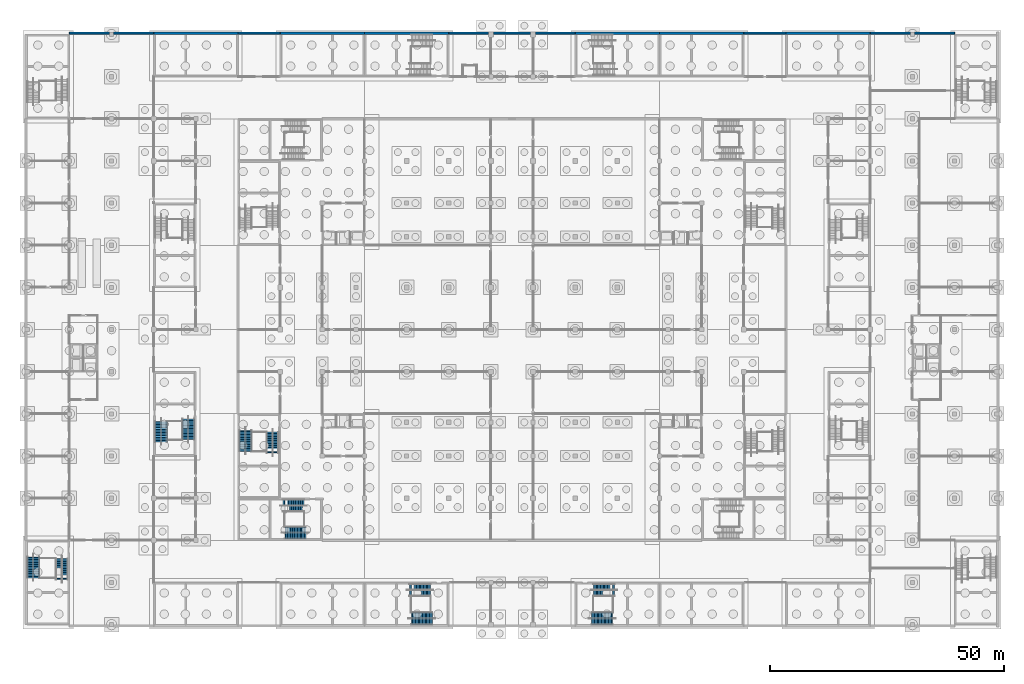
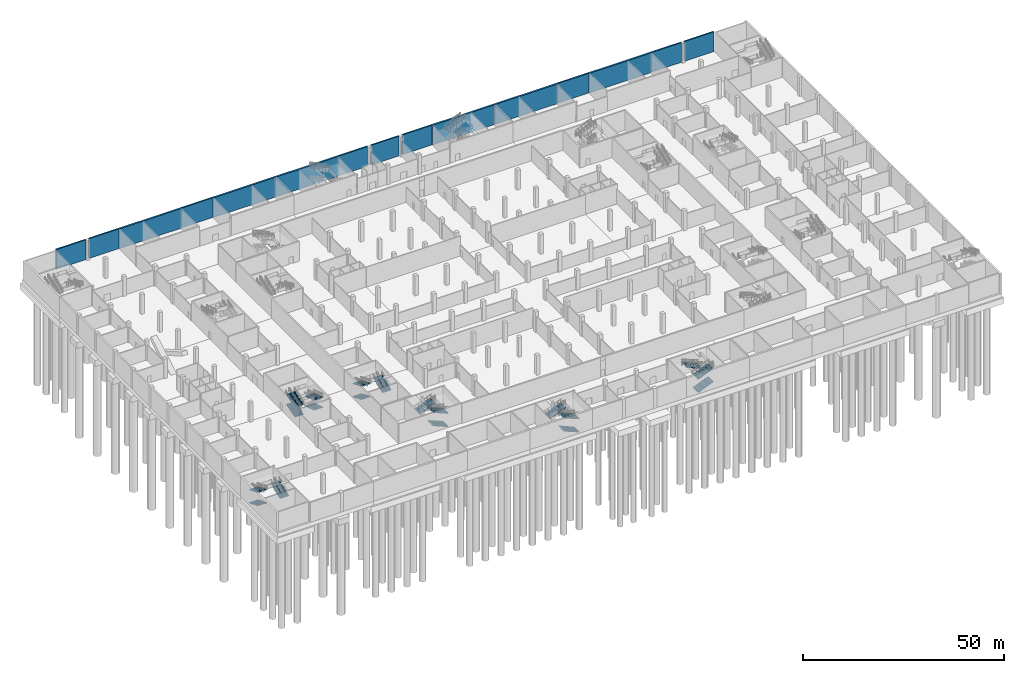
# One storey, part 23 of 42: 19 stair flights, 15 walls, 6 elements without a shape of their own.
"""IFC4 building model written with IfcOpenShell, lengths in metres."""

import ifcopenshell
import ifcopenshell.guid

model = None  # the IFC model being written
_history = None  # IfcOwnerHistory: only IFC2X3 demands one
_inside = {}  # id of a spatial element -> (the spatial element, [elements in it])
_under = {}  # id of a project, library or spatial element -> (it, [spatial elements below it])
_declared = {}  # id of a project -> (the project, [libraries it declares])
_typed = {}  # id of a type object -> (the type object, [elements of that type])
_made_of = {}  # id of a material, layer set ... -> (it, [elements and type objects made of it])


def new_model(schema):
    """Start an empty IFC model of exactly this schema.

    Asked for "IFC4X3", IfcOpenShell would pick the latest addendum, in which some entities
    have other attributes; the version numbers below select the first issue.
    IFC2X3 requires an IfcOwnerHistory on every rooted entity: one is made here for all.
    """
    global model, _history
    if schema == "IFC4X3":
        model = ifcopenshell.file(schema_version=(4, 3, 0, 0))
    else:
        model = ifcopenshell.file(schema=schema)
    _inside.clear()
    _under.clear()
    _declared.clear()
    _typed.clear()
    _made_of.clear()
    _history = None
    if model.schema == "IFC2X3":
        org = make("IfcOrganization", Name="unknown")
        user = make(
            "IfcPersonAndOrganization",
            ThePerson=make("IfcPerson", FamilyName="unknown"),
            TheOrganization=org,
        )
        app = make(
            "IfcApplication",
            ApplicationDeveloper=org,
            Version="unknown",
            ApplicationFullName="unknown",
            ApplicationIdentifier="unknown",
        )
        _history = make(
            "IfcOwnerHistory",
            OwningUser=user,
            OwningApplication=app,
            ChangeAction="ADDED",
            CreationDate=0,
        )
    return model


def make(cls, **values):
    """One entity of the class cls with the attributes given. An attribute that is None is left unset."""
    return model.create_entity(
        cls, **{name: value for name, value in values.items() if value is not None}
    )


def rooted(cls, **values):
    """An entity with a GlobalId (a new one), such as an element, a storey or a relation."""
    return make(cls, GlobalId=ifcopenshell.guid.new(), OwnerHistory=_history, **values)


def si_unit(unit_type, name, prefix=None):
    """IfcSIUnit, for example si_unit("LENGTHUNIT", "METRE", prefix="MILLI")."""
    return make("IfcSIUnit", UnitType=unit_type, Prefix=prefix, Name=name)


def assignment(units):
    """IfcUnitAssignment: the units of a project."""
    return None if units is None else make("IfcUnitAssignment", Units=units)


def point(xyz):
    """IfcCartesianPoint."""
    return None if xyz is None else make("IfcCartesianPoint", Coordinates=xyz)


def direction(xyz):
    """IfcDirection."""
    return None if xyz is None else make("IfcDirection", DirectionRatios=xyz)


def frame(location, z_axis=None, x_axis=None):
    """IfcAxis2Placement3D, a coordinate frame: its origin and axes. An axis left out is left unset."""
    return make(
        "IfcAxis2Placement3D",
        Location=point(location),
        Axis=direction(z_axis),
        RefDirection=direction(x_axis),
    )


def frame_2d(location, x_axis=None):
    """IfcAxis2Placement2D, a coordinate frame in the plane: its origin and x axis."""
    return make(
        "IfcAxis2Placement2D", Location=point(location), RefDirection=direction(x_axis)
    )


def origin():
    """The frame at (0, 0, 0) with its axes left unset."""
    return frame((0.0, 0.0, 0.0))


def place(relative_to, where):
    """IfcLocalPlacement: puts the frame where relative to a parent placement (None: the world)."""
    return make(
        "IfcLocalPlacement", PlacementRelTo=relative_to, RelativePlacement=where
    )


def context(
    kind, dimensions, precision=None, world=None, true_north=None, identifier=None
):
    """IfcGeometricRepresentationContext, for example the 3D "Model" context."""
    return make(
        "IfcGeometricRepresentationContext",
        ContextIdentifier=identifier,
        ContextType=kind,
        CoordinateSpaceDimension=dimensions,
        Precision=precision,
        WorldCoordinateSystem=world,
        TrueNorth=true_north,
    )


def subcontext(parent, identifier, kind, view, scale=None):
    """IfcGeometricRepresentationSubContext, for example "Body" below "Model"."""
    return make(
        "IfcGeometricRepresentationSubContext",
        ContextIdentifier=identifier,
        ContextType=kind,
        ParentContext=parent,
        TargetScale=scale,
        TargetView=view,
    )


def project(units=None, contexts=None):
    """IfcProject with its units and contexts."""
    return rooted(
        "IfcProject",
        Name="project",
        RepresentationContexts=contexts,
        UnitsInContext=assignment(units),
    )


def spatial(cls, under=None, at=None, **own):
    """A site, building, storey or space (cls), placed at a placement, below another one or the project."""
    s = rooted(cls, ObjectPlacement=at, **own)
    if under is not None:
        _under.setdefault(under.id(), (under, []))[1].append(s)
    return s


def polyline(points):
    """IfcPolyline through the points."""
    return make("IfcPolyline", Points=[point(p) for p in points])


def profile(cls, at=None, kind="AREA", **sizes):
    """A parametric profile (cls). Its sizes go by their IFC names, for example OverallWidth=200.0."""
    return make(cls, ProfileType=kind, Position=at, **sizes)


def rectangle(**sizes):
    """IfcRectangleProfileDef."""
    return profile("IfcRectangleProfileDef", **sizes)


def outline(outer, holes=None, kind="AREA"):
    """IfcArbitraryClosedProfileDef: a profile drawn as a closed curve; with holes, ...WithVoids."""
    if holes is None:
        return make("IfcArbitraryClosedProfileDef", ProfileType=kind, OuterCurve=outer)
    return make(
        "IfcArbitraryProfileDefWithVoids",
        ProfileType=kind,
        OuterCurve=outer,
        InnerCurves=holes,
    )


def extrude(swept, where, along, depth):
    """IfcExtrudedAreaSolid: the profile swept, set in the frame where, extruded along a direction by depth."""
    return make(
        "IfcExtrudedAreaSolid",
        SweptArea=swept,
        Position=where,
        ExtrudedDirection=direction(along),
        Depth=depth,
    )


def shape(context_of_items, identifier, shape_type, items):
    """IfcShapeRepresentation: the items that make up one representation, for example the "Body"."""
    return make(
        "IfcShapeRepresentation",
        ContextOfItems=context_of_items,
        RepresentationIdentifier=identifier,
        RepresentationType=shape_type,
        Items=items,
    )


def material(Name=None, Category=None):
    """IfcMaterial."""
    return make("IfcMaterial", Name=Name, Category=Category)


def layer(
    of_material, thickness, ventilated=None, Name=None, Category=None, Priority=None
):
    """IfcMaterialLayer: one layer of a wall or slab, of a material (None: an air gap)."""
    return make(
        "IfcMaterialLayer",
        Material=of_material,
        LayerThickness=thickness,
        IsVentilated=ventilated,
        Name=Name,
        Category=Category,
        Priority=Priority,
    )


def layer_set(layers, Name=None):
    """IfcMaterialLayerSet."""
    return make("IfcMaterialLayerSet", MaterialLayers=layers, LayerSetName=Name)


def made_of(thing, what):
    """Note that an element or type object is made of a material, layer set ...; save() writes the relation."""
    if what is not None:
        _made_of.setdefault(what.id(), (what, []))[1].append(thing)
    return thing


def type_object(cls, material=None, **own):
    """A type object (cls), such as IfcWallType, which elements share."""
    return made_of(rooted(cls, **own), material)


def element(
    cls,
    number,
    at=None,
    inside=None,
    cuts=None,
    type_object=None,
    material=None,
    context=None,
    identifier="Body",
    shape_type=None,
    held_by="IfcProductDefinitionShape",
    body=None,
    shapes=None,
    **own,
):
    """One element of the class cls, such as IfcWall. Its Tag is "e" and its number.

    at: its placement. inside: the storey or other place that contains it. cuts: it is an
    opening in that element (IfcRelVoidsElement). A single representation is given by context,
    identifier, shape_type and body (its items); several are given by shapes. held_by: the class
    of the entity that holds the representations. save() writes the other relations.
    """
    e = rooted(cls, Tag="e%d" % number, ObjectPlacement=at, **own)
    if body is not None:
        shapes = [shape(context, identifier, shape_type, body)]
    if shapes is not None:
        e.Representation = make(held_by, Representations=shapes)
    if inside is not None:
        _inside.setdefault(inside.id(), (inside, []))[1].append(e)
    if cuts is not None:
        rooted(
            "IfcRelVoidsElement", RelatingBuildingElement=cuts, RelatedOpeningElement=e
        )
    if type_object is not None:
        _typed.setdefault(type_object.id(), (type_object, []))[1].append(e)
    return made_of(e, material)


def aggregate(whole, parts):
    """IfcRelAggregates: a whole, such as a stair, and the parts it consists of."""
    return rooted("IfcRelAggregates", RelatingObject=whole, RelatedObjects=parts)


def save(model, path):
    """Write the relations noted so far, then the file.

    IfcRelAggregates (storeys below a building ...), IfcRelContainedInSpatialStructure (elements
    in a storey), IfcRelDefinesByType, IfcRelAssociatesMaterial and IfcRelDeclares: one each for
    every whole, place, type object, material and project.
    """
    for whole, parts in _under.values():
        aggregate(whole, parts)
    for where, things in _inside.values():
        rooted(
            "IfcRelContainedInSpatialStructure",
            RelatedElements=things,
            RelatingStructure=where,
        )
    for kind, things in _typed.values():
        rooted("IfcRelDefinesByType", RelatedObjects=things, RelatingType=kind)
    for what, things in _made_of.values():
        rooted("IfcRelAssociatesMaterial", RelatedObjects=things, RelatingMaterial=what)
    for by, libraries in _declared.values():
        rooted("IfcRelDeclares", RelatingContext=by, RelatedDefinitions=libraries)
    model.write(path)


model = new_model("IFC4")

# Units and contexts
model_context = context("Model", 3, precision=1e-05, world=origin(), true_north=direction((0.0, 1.0)))
body_context = subcontext(model_context, "Body", "Model", "MODEL_VIEW")
ifc_project = project(units=[si_unit("LENGTHUNIT", "METRE"), si_unit("AREAUNIT", "SQUARE_METRE"), si_unit("VOLUMEUNIT", "CUBIC_METRE"), si_unit("PLANEANGLEUNIT", "RADIAN"), si_unit("MASSUNIT", "GRAM", prefix="KILO")], contexts=[model_context])

# Site, building, storey
site_placement = place(None, origin())
site = spatial("IfcSite", under=ifc_project, at=site_placement, CompositionType="ELEMENT")
building_placement = place(site_placement, origin())
building = spatial("IfcBuilding", under=site, at=building_placement, Name="Silverbay Arena", CompositionType="ELEMENT")
storey_placement = place(building_placement, frame((0.0, 0.0, -6.0)))
storey = spatial("IfcBuildingStorey", under=building, at=storey_placement, Name="B1", CompositionType="ELEMENT", Elevation=-6.0)

# Walls
ifc_material_1 = material(Name="Concrete Grade C45", Category="concrete")
ifc_layer_1 = layer(ifc_material_1, 0.39990234375)
ifc_layer_set_1 = layer_set([ifc_layer_1], Name="Concrete Grade C45")
wall_type_1 = type_object("IfcWallType", Name="Basement perimeter wall 400", PredefinedType="SOLIDWALL", material=ifc_layer_set_1)
for number, where, z_axis, x_axis, name in (
    (1, (44.550048828125, 144.300048828125, 0.0), (0.0, 0.0, 1.0), (-1.0, 0.0, 0.0), "North external wall B1 bay 2"),
    (2, (54.0, 144.300048828125, 0.0), (0.0, 0.0, 1.0), (-1.0, 0.0, 0.0), "North external wall B1 bay 3"),
):
    element("IfcWall", number, at=place(storey_placement, frame(where, z_axis=z_axis, x_axis=x_axis)), inside=storey, type_object=wall_type_1, Name=name, PredefinedType="SOLIDWALL", context=body_context, shape_type="SweptSolid", body=[
        extrude(rectangle(XDim=8.550048828125, YDim=0.39990234375, at=frame_2d((4.27490234375, 0.0))), origin(), (0.0, 0.0, 1.0), 6.0),
    ])
wall_1_placement = place(storey_placement, frame((81.0, 144.300048828125, 0.0), z_axis=(0.0, 0.0, 1.0), x_axis=(-1.0, 0.0, 0.0)))
element("IfcWall", 3, at=wall_1_placement, inside=storey, type_object=wall_type_1, Name="North external wall B1 bay 6", PredefinedType="SOLIDWALL", context=body_context, shape_type="SweptSolid", body=[
    extrude(rectangle(XDim=9.0, YDim=0.39990234375, at=frame_2d((4.5, 0.0))), origin(), (0.0, 0.0, 1.0), 6.0),
])
wall_2_placement = place(storey_placement, frame((125.5, 144.300048828125, 0.0), z_axis=(0.0, 0.0, 1.0), x_axis=(-1.0, 0.0, 0.0)))
element("IfcWall", 4, at=wall_2_placement, inside=storey, type_object=wall_type_1, Name="North external wall B1 bay 11", PredefinedType="SOLIDWALL", context=body_context, shape_type="SweptSolid", body=[
    extrude(rectangle(XDim=8.5, YDim=0.39990234375, at=frame_2d((4.25, 0.0))), origin(), (0.0, 0.0, 1.0), 6.0),
])
wall_3_placement = place(storey_placement, frame((134.5, 144.300048828125, 0.0), z_axis=(0.0, 0.0, 1.0), x_axis=(-1.0, 0.0, 0.0)))
element("IfcWall", 5, at=wall_3_placement, inside=storey, type_object=wall_type_1, Name="North external wall B1 bay 12", PredefinedType="SOLIDWALL", context=body_context, shape_type="SweptSolid", body=[
    extrude(rectangle(XDim=8.0, YDim=0.39990234375, at=frame_2d((4.0, 0.0))), origin(), (0.0, 0.0, 1.0), 6.0),
])
wall_4_placement = place(storey_placement, frame((144.0, 144.300048828125, 0.0), z_axis=(0.0, 0.0, 1.0), x_axis=(-1.0, 0.0, 0.0)))
element("IfcWall", 6, at=wall_4_placement, inside=storey, type_object=wall_type_1, Name="North external wall B1 bay 13", PredefinedType="SOLIDWALL", context=body_context, shape_type="SweptSolid", body=[
    extrude(rectangle(XDim=8.5, YDim=0.39990234375, at=frame_2d((4.25, 0.0))), origin(), (0.0, 0.0, 1.0), 6.0),
])
wall_5_placement = place(storey_placement, frame((189.0, 144.300048828125, 0.0), z_axis=(0.0, 0.0, 1.0), x_axis=(-1.0, 0.0, 0.0)))
element("IfcWall", 7, at=wall_5_placement, inside=storey, type_object=wall_type_1, Name="North external wall B1 bay 18", PredefinedType="SOLIDWALL", context=body_context, shape_type="SweptSolid", body=[
    extrude(rectangle(XDim=9.0, YDim=0.39990234375, at=frame_2d((4.5, 0.0))), origin(), (0.0, 0.0, 1.0), 6.0),
])
for number, where, z_axis, x_axis, name in (
    (8, (215.550048828125, 144.300048828125, 0.0), (0.0, 0.0, 1.0), (-1.0, 0.0, 0.0), "North external wall B1 bay 21"),
    (9, (225.0, 144.300048828125, 0.0), (0.0, 0.0, 1.0), (-1.0, 0.0, 0.0), "North external wall B1 bay 22"),
):
    element("IfcWall", number, at=place(storey_placement, frame(where, z_axis=z_axis, x_axis=x_axis)), inside=storey, type_object=wall_type_1, Name=name, PredefinedType="SOLIDWALL", context=body_context, shape_type="SweptSolid", body=[
        extrude(rectangle(XDim=8.550048828125, YDim=0.39990234375, at=frame_2d((4.27490234375, 0.0))), origin(), (0.0, 0.0, 1.0), 6.0),
    ])
ifc_material_2 = material(Name="Concrete Grade C45", Category="concrete")
ifc_layer_2 = layer(ifc_material_2, 0.5)
ifc_layer_set_2 = layer_set([ifc_layer_2], Name="Concrete Grade C45")
wall_type_2 = type_object("IfcWallType", Name="Core wall RC 500 external EI 240", PredefinedType="SHEAR", material=ifc_layer_set_2)
for number, where, z_axis, x_axis, name in (
    (10, (81.0, 144.25, 0.0), (0.0, 0.0, 1.0), (1.0, 0.0, 0.0), "Core wall ST-N1 B1 facade side"),
    (11, (117.0, 144.25, 0.0), (0.0, 0.0, 1.0), (-1.0, 0.0, 0.0), "Core wall ST-N2 B1 facade side"),
    (12, (144.0, 144.25, 0.0), (0.0, 0.0, 1.0), (1.0, 0.0, 0.0), "Core wall ST-N3 B1 facade side"),
    (13, (180.0, 144.25, 0.0), (0.0, 0.0, 1.0), (-1.0, 0.0, 0.0), "Core wall ST-N4 B1 facade side"),
    (14, (72.0, 144.25, 0.0), (0.0, 0.0, 1.0), (-1.0, 0.0, 0.0), "Core wall ST-N5 B1 facade side"),
    (15, (189.0, 144.25, 0.0), (0.0, 0.0, 1.0), (1.0, 0.0, 0.0), "Core wall ST-N6 B1 facade side"),
):
    element("IfcWall", number, at=place(storey_placement, frame(where, z_axis=z_axis, x_axis=x_axis)), inside=storey, type_object=wall_type_2, Name=name, PredefinedType="SHEAR", context=body_context, shape_type="SweptSolid", body=[
        extrude(rectangle(XDim=18.0, YDim=0.5, at=frame_2d((9.0, 0.0))), origin(), (0.0, 0.0, 1.0), 6.0),
    ])

# Stair, stair flights
ifc_material_3 = material(Name="Concrete Grade C45", Category="concrete")
stair_type_1 = type_object("IfcStairType", Name="Stair 2600 wide 56 risers 107.1 x 340", PredefinedType="HALF_TURN_STAIR", material=ifc_material_3)
stair_1_placement = place(storey_placement, origin())
stair_1 = element("IfcStair", 16, at=stair_1_placement, inside=storey, type_object=stair_type_1, Name="Stair ST-W1 B1 to L00", PredefinedType="HALF_TURN_STAIR")
ifc_material_4 = material(Name="Concrete Grade C45", Category="concrete")
stair_flight_type_1 = type_object("IfcStairFlightType", Name="Stair flight 2600 wide 14 risers 107.1 x 340", PredefinedType="STRAIGHT", material=ifc_material_4)
stair_flight_1_placement = place(storey_placement, frame((61.39990234375, 61.899169921875, 0.0), z_axis=(0.0, 0.0, 1.0), x_axis=(0.0, -1.0, 0.0)))
stair_flight_1 = element("IfcStairFlight", 17, at=stair_flight_1_placement, type_object=stair_flight_type_1, Name="Stair ST-W1 B1 to L00 flight 1", NumberOfRisers=14, NumberOfTreads=13, PredefinedType="STRAIGHT", RiserHeight=0.107142857, TreadLength=0.34, context=body_context, shape_type="SweptSolid", body=[
    extrude(outline(polyline([(0.0, 0.0), (0.0, 0.107177734375), (0.340087890625, 0.107177734375), (0.340087890625, 0.21435546875), (0.679931640625, 0.21435546875), (0.679931640625, 0.321533203125), (1.02001953125, 0.321533203125), (1.02001953125, 0.428466796875), (1.360107421875, 0.428466796875), (1.360107421875, 0.53564453125), (1.699951171875, 0.53564453125), (1.699951171875, 0.642822265625), (2.0400390625, 0.642822265625), (2.0400390625, 0.75), (2.3798828125, 0.75), (2.3798828125, 0.857177734375), (2.719970703125, 0.857177734375), (2.719970703125, 0.96435546875), (3.06005859375, 0.96435546875), (3.06005859375, 1.071533203125), (3.39990234375, 1.071533203125), (3.39990234375, 1.178466796875), (3.739990234375, 1.178466796875), (3.739990234375, 1.28564453125), (4.080078125, 1.28564453125), (4.080078125, 1.392822265625), (4.419921875, 1.392822265625), (4.419921875, 1.235595703125), (0.498779296875, 0.0), (0.0, 0.0)])), frame((0.0, 1.300048828125, 0.0), z_axis=(0.0, -1.0, 0.0), x_axis=(1.0, 0.0, 0.0)), (0.0, 0.0, 1.0), 2.60009765625),
])
stair_flight_2_placement = place(storey_placement, frame((55.60009765625, 56.97998046875, 1.5), z_axis=(0.0, 0.0, 1.0), x_axis=(0.0, 1.0, 0.0)))
stair_flight_2 = element("IfcStairFlight", 18, at=stair_flight_2_placement, type_object=stair_flight_type_1, Name="Stair ST-W1 B1 to L00 flight 2", NumberOfRisers=14, NumberOfTreads=13, PredefinedType="STRAIGHT", RiserHeight=0.107142857, TreadLength=0.34, context=body_context, shape_type="SweptSolid", body=[
    extrude(outline(polyline([(0.0, 0.0), (0.0, 0.107177734375), (0.340087890625, 0.107177734375), (0.340087890625, 0.21435546875), (0.679931640625, 0.21435546875), (0.679931640625, 0.321533203125), (1.02001953125, 0.321533203125), (1.02001953125, 0.428466796875), (1.360107421875, 0.428466796875), (1.360107421875, 0.53564453125), (1.699951171875, 0.53564453125), (1.699951171875, 0.642822265625), (2.0400390625, 0.642822265625), (2.0400390625, 0.75), (2.3798828125, 0.75), (2.3798828125, 0.857177734375), (2.719970703125, 0.857177734375), (2.719970703125, 0.96435546875), (3.06005859375, 0.96435546875), (3.06005859375, 1.071533203125), (3.39990234375, 1.071533203125), (3.39990234375, 1.178466796875), (3.739990234375, 1.178466796875), (3.739990234375, 1.28564453125), (4.080078125, 1.28564453125), (4.080078125, 1.392822265625), (4.419921875, 1.392822265625), (4.419921875, 1.235595703125), (0.498779296875, 0.0), (0.0, 0.0)])), frame((0.0, 1.300048828125, 0.0), z_axis=(0.0, -1.0, 0.0), x_axis=(1.0, 0.0, 0.0)), (0.0, 0.0, 1.0), 2.60009765625),
])
stair_flight_3_placement = place(storey_placement, frame((61.39990234375, 61.899169921875, 3.0), z_axis=(0.0, 0.0, 1.0), x_axis=(0.0, -1.0, 0.0)))
stair_flight_3 = element("IfcStairFlight", 19, at=stair_flight_3_placement, type_object=stair_flight_type_1, Name="Stair ST-W1 B1 to L00 flight 3", NumberOfRisers=14, NumberOfTreads=13, PredefinedType="STRAIGHT", RiserHeight=0.107142857, TreadLength=0.34, context=body_context, shape_type="SweptSolid", body=[
    extrude(outline(polyline([(0.0, 0.0), (0.0, 0.107177734375), (0.340087890625, 0.107177734375), (0.340087890625, 0.21435546875), (0.679931640625, 0.21435546875), (0.679931640625, 0.321533203125), (1.02001953125, 0.321533203125), (1.02001953125, 0.428466796875), (1.360107421875, 0.428466796875), (1.360107421875, 0.53564453125), (1.699951171875, 0.53564453125), (1.699951171875, 0.642822265625), (2.0400390625, 0.642822265625), (2.0400390625, 0.75), (2.3798828125, 0.75), (2.3798828125, 0.857177734375), (2.719970703125, 0.857177734375), (2.719970703125, 0.96435546875), (3.06005859375, 0.96435546875), (3.06005859375, 1.071533203125), (3.39990234375, 1.071533203125), (3.39990234375, 1.178466796875), (3.739990234375, 1.178466796875), (3.739990234375, 1.28564453125), (4.080078125, 1.28564453125), (4.080078125, 1.392822265625), (4.419921875, 1.392822265625), (4.419921875, 1.235595703125), (0.498779296875, 0.0), (0.0, 0.0)])), frame((0.0, 1.300048828125, 0.0), z_axis=(0.0, -1.0, 0.0), x_axis=(1.0, 0.0, 0.0)), (0.0, 0.0, 1.0), 2.60009765625),
])
stair_flight_4_placement = place(storey_placement, frame((55.60009765625, 56.97998046875, 4.5), z_axis=(0.0, 0.0, 1.0), x_axis=(0.0, 1.0, 0.0)))
stair_flight_4 = element("IfcStairFlight", 20, at=stair_flight_4_placement, type_object=stair_flight_type_1, Name="Stair ST-W1 B1 to L00 flight 4", NumberOfRisers=14, NumberOfTreads=13, PredefinedType="STRAIGHT", RiserHeight=0.107142857, TreadLength=0.34, context=body_context, shape_type="SweptSolid", body=[
    extrude(outline(polyline([(0.0, 0.0), (0.0, 0.107177734375), (0.340087890625, 0.107177734375), (0.340087890625, 0.21435546875), (0.679931640625, 0.21435546875), (0.679931640625, 0.321533203125), (1.02001953125, 0.321533203125), (1.02001953125, 0.428466796875), (1.360107421875, 0.428466796875), (1.360107421875, 0.53564453125), (1.699951171875, 0.53564453125), (1.699951171875, 0.642822265625), (2.0400390625, 0.642822265625), (2.0400390625, 0.75), (2.3798828125, 0.75), (2.3798828125, 0.857177734375), (2.719970703125, 0.857177734375), (2.719970703125, 0.96435546875), (3.06005859375, 0.96435546875), (3.06005859375, 1.071533203125), (3.39990234375, 1.071533203125), (3.39990234375, 1.178466796875), (3.739990234375, 1.178466796875), (3.739990234375, 1.28564453125), (4.080078125, 1.28564453125), (4.080078125, 1.392822265625), (4.419921875, 1.392822265625), (4.419921875, 1.235595703125), (0.498779296875, 0.0), (0.0, 0.0)])), frame((0.0, 1.300048828125, 0.0), z_axis=(0.0, -1.0, 0.0), x_axis=(1.0, 0.0, 0.0)), (0.0, 0.0, 1.0), 2.60009765625),
])
aggregate(stair_1, [stair_flight_1, stair_flight_2, stair_flight_3, stair_flight_4])

ifc_material_5 = material(Name="Concrete Grade C45", Category="concrete")
stair_type_2 = type_object("IfcStairType", Name="Stair 2600 wide 48 risers 125.0 x 300", PredefinedType="HALF_TURN_STAIR", material=ifc_material_5)
stair_2_placement = place(storey_placement, origin())
stair_2 = element("IfcStair", 21, at=stair_2_placement, inside=storey, type_object=stair_type_2, Name="Stair ST-S2 B1 to L00", PredefinedType="HALF_TURN_STAIR")
ifc_material_6 = material(Name="Concrete Grade C45", Category="concrete")
stair_flight_type_2 = type_object("IfcStairFlightType", Name="Stair flight 2600 wide 16 risers 125.0 x 300", PredefinedType="STRAIGHT", material=ifc_material_6)
stair_flight_5_placement = place(storey_placement, frame((113.489990234375, 19.300048828125, 0.0), z_axis=(0.0, 0.0, 1.0), x_axis=(-1.0, 0.0, 0.0)))
stair_flight_5 = element("IfcStairFlight", 22, at=stair_flight_5_placement, type_object=stair_flight_type_2, Name="Stair ST-S2 B1 to L00 flight 1", NumberOfRisers=16, NumberOfTreads=15, PredefinedType="STRAIGHT", RiserHeight=0.125, TreadLength=0.3, context=body_context, shape_type="SweptSolid", body=[
    extrude(outline(polyline([(0.0, 0.0), (0.0, 0.125), (0.300048828125, 0.125), (0.300048828125, 0.25), (0.60009765625, 0.25), (0.60009765625, 0.375), (0.89990234375, 0.375), (0.89990234375, 0.5), (1.199951171875, 0.5), (1.199951171875, 0.625), (1.5, 0.625), (1.5, 0.75), (1.800048828125, 0.75), (1.800048828125, 0.875), (2.10009765625, 0.875), (2.10009765625, 1.0), (2.39990234375, 1.0), (2.39990234375, 1.125), (2.699951171875, 1.125), (2.699951171875, 1.25), (3.0, 1.25), (3.0, 1.375), (3.300048828125, 1.375), (3.300048828125, 1.5), (3.60009765625, 1.5), (3.60009765625, 1.625), (3.89990234375, 1.625), (3.89990234375, 1.75), (4.199951171875, 1.75), (4.199951171875, 1.875), (4.5, 1.875), (4.5, 1.712646484375), (0.3896484375, 0.0), (0.0, 0.0)])), frame((0.0, 1.300048828125, 0.0), z_axis=(0.0, -1.0, 0.0), x_axis=(1.0, 0.0, 0.0)), (0.0, 0.0, 1.0), 2.60009765625),
])
stair_flight_6_placement = place(storey_placement, frame((108.60009765625, 25.39990234375, 2.0), z_axis=(0.0, 0.0, 1.0), x_axis=(1.0, 0.0, 0.0)))
stair_flight_6 = element("IfcStairFlight", 23, at=stair_flight_6_placement, type_object=stair_flight_type_2, Name="Stair ST-S2 B1 to L00 flight 2", NumberOfRisers=16, NumberOfTreads=15, PredefinedType="STRAIGHT", RiserHeight=0.125, TreadLength=0.3, context=body_context, shape_type="SweptSolid", body=[
    extrude(outline(polyline([(0.0, 0.0), (0.0, 0.125), (0.300048828125, 0.125), (0.300048828125, 0.25), (0.60009765625, 0.25), (0.60009765625, 0.375), (0.89990234375, 0.375), (0.89990234375, 0.5), (1.199951171875, 0.5), (1.199951171875, 0.625), (1.5, 0.625), (1.5, 0.75), (1.800048828125, 0.75), (1.800048828125, 0.875), (2.10009765625, 0.875), (2.10009765625, 1.0), (2.39990234375, 1.0), (2.39990234375, 1.125), (2.699951171875, 1.125), (2.699951171875, 1.25), (3.0, 1.25), (3.0, 1.375), (3.300048828125, 1.375), (3.300048828125, 1.5), (3.60009765625, 1.5), (3.60009765625, 1.625), (3.89990234375, 1.625), (3.89990234375, 1.75), (4.199951171875, 1.75), (4.199951171875, 1.875), (4.5, 1.875), (4.5, 1.712646484375), (0.3896484375, 0.0), (0.0, 0.0)])), frame((0.0, 1.300048828125, 0.0), z_axis=(0.0, -1.0, 0.0), x_axis=(1.0, 0.0, 0.0)), (0.0, 0.0, 1.0), 2.60009765625),
])
stair_flight_7_placement = place(storey_placement, frame((113.489990234375, 19.300048828125, 4.0), z_axis=(0.0, 0.0, 1.0), x_axis=(-1.0, 0.0, 0.0)))
stair_flight_7 = element("IfcStairFlight", 24, at=stair_flight_7_placement, type_object=stair_flight_type_2, Name="Stair ST-S2 B1 to L00 flight 3", NumberOfRisers=16, NumberOfTreads=15, PredefinedType="STRAIGHT", RiserHeight=0.125, TreadLength=0.3, context=body_context, shape_type="SweptSolid", body=[
    extrude(outline(polyline([(0.0, 0.0), (0.0, 0.125), (0.300048828125, 0.125), (0.300048828125, 0.25), (0.60009765625, 0.25), (0.60009765625, 0.375), (0.89990234375, 0.375), (0.89990234375, 0.5), (1.199951171875, 0.5), (1.199951171875, 0.625), (1.5, 0.625), (1.5, 0.75), (1.800048828125, 0.75), (1.800048828125, 0.875), (2.10009765625, 0.875), (2.10009765625, 1.0), (2.39990234375, 1.0), (2.39990234375, 1.125), (2.699951171875, 1.125), (2.699951171875, 1.25), (3.0, 1.25), (3.0, 1.375), (3.300048828125, 1.375), (3.300048828125, 1.5), (3.60009765625, 1.5), (3.60009765625, 1.625), (3.89990234375, 1.625), (3.89990234375, 1.75), (4.199951171875, 1.75), (4.199951171875, 1.875), (4.5, 1.875), (4.5, 1.712646484375), (0.3896484375, 0.0), (0.0, 0.0)])), frame((0.0, 1.300048828125, 0.0), z_axis=(0.0, -1.0, 0.0), x_axis=(1.0, 0.0, 0.0)), (0.0, 0.0, 1.0), 2.60009765625),
])
aggregate(stair_2, [stair_flight_5, stair_flight_6, stair_flight_7])

stair_3_placement = place(storey_placement, origin())
stair_3 = element("IfcStair", 25, at=stair_3_placement, inside=storey, type_object=stair_type_2, Name="Stair ST-S3 B1 to L00", PredefinedType="HALF_TURN_STAIR")
stair_flight_8_placement = place(storey_placement, frame((147.510009765625, 19.300048828125, 0.0), z_axis=(0.0, 0.0, 1.0), x_axis=(1.0, 0.0, 0.0)))
stair_flight_8 = element("IfcStairFlight", 26, at=stair_flight_8_placement, type_object=stair_flight_type_2, Name="Stair ST-S3 B1 to L00 flight 1", NumberOfRisers=16, NumberOfTreads=15, PredefinedType="STRAIGHT", RiserHeight=0.125, TreadLength=0.3, context=body_context, shape_type="SweptSolid", body=[
    extrude(outline(polyline([(0.0, 0.0), (0.0, 0.125), (0.300048828125, 0.125), (0.300048828125, 0.25), (0.60009765625, 0.25), (0.60009765625, 0.375), (0.89990234375, 0.375), (0.89990234375, 0.5), (1.199951171875, 0.5), (1.199951171875, 0.625), (1.5, 0.625), (1.5, 0.75), (1.800048828125, 0.75), (1.800048828125, 0.875), (2.10009765625, 0.875), (2.10009765625, 1.0), (2.39990234375, 1.0), (2.39990234375, 1.125), (2.699951171875, 1.125), (2.699951171875, 1.25), (3.0, 1.25), (3.0, 1.375), (3.300048828125, 1.375), (3.300048828125, 1.5), (3.60009765625, 1.5), (3.60009765625, 1.625), (3.89990234375, 1.625), (3.89990234375, 1.75), (4.199951171875, 1.75), (4.199951171875, 1.875), (4.5, 1.875), (4.5, 1.712646484375), (0.3896484375, 0.0), (0.0, 0.0)])), frame((0.0, 1.300048828125, 0.0), z_axis=(0.0, -1.0, 0.0), x_axis=(1.0, 0.0, 0.0)), (0.0, 0.0, 1.0), 2.60009765625),
])
stair_flight_9_placement = place(storey_placement, frame((152.39990234375, 25.39990234375, 2.0), z_axis=(0.0, 0.0, 1.0), x_axis=(-1.0, 0.0, 0.0)))
stair_flight_9 = element("IfcStairFlight", 27, at=stair_flight_9_placement, type_object=stair_flight_type_2, Name="Stair ST-S3 B1 to L00 flight 2", NumberOfRisers=16, NumberOfTreads=15, PredefinedType="STRAIGHT", RiserHeight=0.125, TreadLength=0.3, context=body_context, shape_type="SweptSolid", body=[
    extrude(outline(polyline([(0.0, 0.0), (0.0, 0.125), (0.300048828125, 0.125), (0.300048828125, 0.25), (0.60009765625, 0.25), (0.60009765625, 0.375), (0.89990234375, 0.375), (0.89990234375, 0.5), (1.199951171875, 0.5), (1.199951171875, 0.625), (1.5, 0.625), (1.5, 0.75), (1.800048828125, 0.75), (1.800048828125, 0.875), (2.10009765625, 0.875), (2.10009765625, 1.0), (2.39990234375, 1.0), (2.39990234375, 1.125), (2.699951171875, 1.125), (2.699951171875, 1.25), (3.0, 1.25), (3.0, 1.375), (3.300048828125, 1.375), (3.300048828125, 1.5), (3.60009765625, 1.5), (3.60009765625, 1.625), (3.89990234375, 1.625), (3.89990234375, 1.75), (4.199951171875, 1.75), (4.199951171875, 1.875), (4.5, 1.875), (4.5, 1.712646484375), (0.3896484375, 0.0), (0.0, 0.0)])), frame((0.0, 1.300048828125, 0.0), z_axis=(0.0, -1.0, 0.0), x_axis=(1.0, 0.0, 0.0)), (0.0, 0.0, 1.0), 2.60009765625),
])
stair_flight_10_placement = place(storey_placement, frame((147.510009765625, 19.300048828125, 4.0), z_axis=(0.0, 0.0, 1.0), x_axis=(1.0, 0.0, 0.0)))
stair_flight_10 = element("IfcStairFlight", 28, at=stair_flight_10_placement, type_object=stair_flight_type_2, Name="Stair ST-S3 B1 to L00 flight 3", NumberOfRisers=16, NumberOfTreads=15, PredefinedType="STRAIGHT", RiserHeight=0.125, TreadLength=0.3, context=body_context, shape_type="SweptSolid", body=[
    extrude(outline(polyline([(0.0, 0.0), (0.0, 0.125), (0.300048828125, 0.125), (0.300048828125, 0.25), (0.60009765625, 0.25), (0.60009765625, 0.375), (0.89990234375, 0.375), (0.89990234375, 0.5), (1.199951171875, 0.5), (1.199951171875, 0.625), (1.5, 0.625), (1.5, 0.75), (1.800048828125, 0.75), (1.800048828125, 0.875), (2.10009765625, 0.875), (2.10009765625, 1.0), (2.39990234375, 1.0), (2.39990234375, 1.125), (2.699951171875, 1.125), (2.699951171875, 1.25), (3.0, 1.25), (3.0, 1.375), (3.300048828125, 1.375), (3.300048828125, 1.5), (3.60009765625, 1.5), (3.60009765625, 1.625), (3.89990234375, 1.625), (3.89990234375, 1.75), (4.199951171875, 1.75), (4.199951171875, 1.875), (4.5, 1.875), (4.5, 1.712646484375), (0.3896484375, 0.0), (0.0, 0.0)])), frame((0.0, 1.300048828125, 0.0), z_axis=(0.0, -1.0, 0.0), x_axis=(1.0, 0.0, 0.0)), (0.0, 0.0, 1.0), 2.60009765625),
])
aggregate(stair_3, [stair_flight_8, stair_flight_9, stair_flight_10])

stair_4_placement = place(storey_placement, origin())
stair_4 = element("IfcStair", 29, at=stair_4_placement, inside=storey, type_object=stair_type_2, Name="Stair ST-SW1 B1 to L00", PredefinedType="HALF_TURN_STAIR")
stair_flight_11_placement = place(storey_placement, frame((86.489990234375, 37.60009765625, 0.0), z_axis=(0.0, 0.0, 1.0), x_axis=(-1.0, 0.0, 0.0)))
stair_flight_11 = element("IfcStairFlight", 30, at=stair_flight_11_placement, type_object=stair_flight_type_2, Name="Stair ST-SW1 B1 to L00 flight 1", NumberOfRisers=16, NumberOfTreads=15, PredefinedType="STRAIGHT", RiserHeight=0.125, TreadLength=0.3, context=body_context, shape_type="SweptSolid", body=[
    extrude(outline(polyline([(0.0, 0.0), (0.0, 0.125), (0.300048828125, 0.125), (0.300048828125, 0.25), (0.60009765625, 0.25), (0.60009765625, 0.375), (0.89990234375, 0.375), (0.89990234375, 0.5), (1.199951171875, 0.5), (1.199951171875, 0.625), (1.5, 0.625), (1.5, 0.75), (1.800048828125, 0.75), (1.800048828125, 0.875), (2.10009765625, 0.875), (2.10009765625, 1.0), (2.39990234375, 1.0), (2.39990234375, 1.125), (2.699951171875, 1.125), (2.699951171875, 1.25), (3.0, 1.25), (3.0, 1.375), (3.300048828125, 1.375), (3.300048828125, 1.5), (3.60009765625, 1.5), (3.60009765625, 1.625), (3.89990234375, 1.625), (3.89990234375, 1.75), (4.199951171875, 1.75), (4.199951171875, 1.875), (4.5, 1.875), (4.5, 1.712646484375), (0.3896484375, 0.0), (0.0, 0.0)])), frame((0.0, 1.300048828125, 0.0), z_axis=(0.0, -1.0, 0.0), x_axis=(1.0, 0.0, 0.0)), (0.0, 0.0, 1.0), 2.60009765625),
])
stair_flight_12_placement = place(storey_placement, frame((81.60009765625, 43.39990234375, 2.0), z_axis=(0.0, 0.0, 1.0), x_axis=(1.0, 0.0, 0.0)))
stair_flight_12 = element("IfcStairFlight", 31, at=stair_flight_12_placement, type_object=stair_flight_type_2, Name="Stair ST-SW1 B1 to L00 flight 2", NumberOfRisers=16, NumberOfTreads=15, PredefinedType="STRAIGHT", RiserHeight=0.125, TreadLength=0.3, context=body_context, shape_type="SweptSolid", body=[
    extrude(outline(polyline([(0.0, 0.0), (0.0, 0.125), (0.300048828125, 0.125), (0.300048828125, 0.25), (0.60009765625, 0.25), (0.60009765625, 0.375), (0.89990234375, 0.375), (0.89990234375, 0.5), (1.199951171875, 0.5), (1.199951171875, 0.625), (1.5, 0.625), (1.5, 0.75), (1.800048828125, 0.75), (1.800048828125, 0.875), (2.10009765625, 0.875), (2.10009765625, 1.0), (2.39990234375, 1.0), (2.39990234375, 1.125), (2.699951171875, 1.125), (2.699951171875, 1.25), (3.0, 1.25), (3.0, 1.375), (3.300048828125, 1.375), (3.300048828125, 1.5), (3.60009765625, 1.5), (3.60009765625, 1.625), (3.89990234375, 1.625), (3.89990234375, 1.75), (4.199951171875, 1.75), (4.199951171875, 1.875), (4.5, 1.875), (4.5, 1.712646484375), (0.3896484375, 0.0), (0.0, 0.0)])), frame((0.0, 1.300048828125, 0.0), z_axis=(0.0, -1.0, 0.0), x_axis=(1.0, 0.0, 0.0)), (0.0, 0.0, 1.0), 2.60009765625),
])
stair_flight_13_placement = place(storey_placement, frame((86.489990234375, 37.60009765625, 4.0), z_axis=(0.0, 0.0, 1.0), x_axis=(-1.0, 0.0, 0.0)))
stair_flight_13 = element("IfcStairFlight", 32, at=stair_flight_13_placement, type_object=stair_flight_type_2, Name="Stair ST-SW1 B1 to L00 flight 3", NumberOfRisers=16, NumberOfTreads=15, PredefinedType="STRAIGHT", RiserHeight=0.125, TreadLength=0.3, context=body_context, shape_type="SweptSolid", body=[
    extrude(outline(polyline([(0.0, 0.0), (0.0, 0.125), (0.300048828125, 0.125), (0.300048828125, 0.25), (0.60009765625, 0.25), (0.60009765625, 0.375), (0.89990234375, 0.375), (0.89990234375, 0.5), (1.199951171875, 0.5), (1.199951171875, 0.625), (1.5, 0.625), (1.5, 0.75), (1.800048828125, 0.75), (1.800048828125, 0.875), (2.10009765625, 0.875), (2.10009765625, 1.0), (2.39990234375, 1.0), (2.39990234375, 1.125), (2.699951171875, 1.125), (2.699951171875, 1.25), (3.0, 1.25), (3.0, 1.375), (3.300048828125, 1.375), (3.300048828125, 1.5), (3.60009765625, 1.5), (3.60009765625, 1.625), (3.89990234375, 1.625), (3.89990234375, 1.75), (4.199951171875, 1.75), (4.199951171875, 1.875), (4.5, 1.875), (4.5, 1.712646484375), (0.3896484375, 0.0), (0.0, 0.0)])), frame((0.0, 1.300048828125, 0.0), z_axis=(0.0, -1.0, 0.0), x_axis=(1.0, 0.0, 0.0)), (0.0, 0.0, 1.0), 2.60009765625),
])
aggregate(stair_4, [stair_flight_11, stair_flight_12, stair_flight_13])

stair_5_placement = place(storey_placement, origin())
stair_5 = element("IfcStair", 33, at=stair_5_placement, inside=storey, type_object=stair_type_2, Name="Stair ST-SW2 B1 to L00", PredefinedType="HALF_TURN_STAIR")
stair_flight_14_placement = place(storey_placement, frame((73.60009765625, 59.489990234375, 0.0), z_axis=(0.0, 0.0, 1.0), x_axis=(0.0, -1.0, 0.0)))
stair_flight_14 = element("IfcStairFlight", 34, at=stair_flight_14_placement, type_object=stair_flight_type_2, Name="Stair ST-SW2 B1 to L00 flight 1", NumberOfRisers=16, NumberOfTreads=15, PredefinedType="STRAIGHT", RiserHeight=0.125, TreadLength=0.3, context=body_context, shape_type="SweptSolid", body=[
    extrude(outline(polyline([(0.0, 0.0), (0.0, 0.125), (0.300048828125, 0.125), (0.300048828125, 0.25), (0.60009765625, 0.25), (0.60009765625, 0.375), (0.89990234375, 0.375), (0.89990234375, 0.5), (1.199951171875, 0.5), (1.199951171875, 0.625), (1.5, 0.625), (1.5, 0.75), (1.800048828125, 0.75), (1.800048828125, 0.875), (2.10009765625, 0.875), (2.10009765625, 1.0), (2.39990234375, 1.0), (2.39990234375, 1.125), (2.699951171875, 1.125), (2.699951171875, 1.25), (3.0, 1.25), (3.0, 1.375), (3.300048828125, 1.375), (3.300048828125, 1.5), (3.60009765625, 1.5), (3.60009765625, 1.625), (3.89990234375, 1.625), (3.89990234375, 1.75), (4.199951171875, 1.75), (4.199951171875, 1.875), (4.5, 1.875), (4.5, 1.712646484375), (0.3896484375, 0.0), (0.0, 0.0)])), frame((0.0, 1.300048828125, 0.0), z_axis=(0.0, -1.0, 0.0), x_axis=(1.0, 0.0, 0.0)), (0.0, 0.0, 1.0), 2.60009765625),
])
stair_flight_15_placement = place(storey_placement, frame((79.39990234375, 54.60009765625, 2.0), z_axis=(0.0, 0.0, 1.0), x_axis=(0.0, 1.0, 0.0)))
stair_flight_15 = element("IfcStairFlight", 35, at=stair_flight_15_placement, type_object=stair_flight_type_2, Name="Stair ST-SW2 B1 to L00 flight 2", NumberOfRisers=16, NumberOfTreads=15, PredefinedType="STRAIGHT", RiserHeight=0.125, TreadLength=0.3, context=body_context, shape_type="SweptSolid", body=[
    extrude(outline(polyline([(0.0, 0.0), (0.0, 0.125), (0.300048828125, 0.125), (0.300048828125, 0.25), (0.60009765625, 0.25), (0.60009765625, 0.375), (0.89990234375, 0.375), (0.89990234375, 0.5), (1.199951171875, 0.5), (1.199951171875, 0.625), (1.5, 0.625), (1.5, 0.75), (1.800048828125, 0.75), (1.800048828125, 0.875), (2.10009765625, 0.875), (2.10009765625, 1.0), (2.39990234375, 1.0), (2.39990234375, 1.125), (2.699951171875, 1.125), (2.699951171875, 1.25), (3.0, 1.25), (3.0, 1.375), (3.300048828125, 1.375), (3.300048828125, 1.5), (3.60009765625, 1.5), (3.60009765625, 1.625), (3.89990234375, 1.625), (3.89990234375, 1.75), (4.199951171875, 1.75), (4.199951171875, 1.875), (4.5, 1.875), (4.5, 1.712646484375), (0.3896484375, 0.0), (0.0, 0.0)])), frame((0.0, 1.300048828125, 0.0), z_axis=(0.0, -1.0, 0.0), x_axis=(1.0, 0.0, 0.0)), (0.0, 0.0, 1.0), 2.60009765625),
])
stair_flight_16_placement = place(storey_placement, frame((73.60009765625, 59.489990234375, 4.0), z_axis=(0.0, 0.0, 1.0), x_axis=(0.0, -1.0, 0.0)))
stair_flight_16 = element("IfcStairFlight", 36, at=stair_flight_16_placement, type_object=stair_flight_type_2, Name="Stair ST-SW2 B1 to L00 flight 3", NumberOfRisers=16, NumberOfTreads=15, PredefinedType="STRAIGHT", RiserHeight=0.125, TreadLength=0.3, context=body_context, shape_type="SweptSolid", body=[
    extrude(outline(polyline([(0.0, 0.0), (0.0, 0.125), (0.300048828125, 0.125), (0.300048828125, 0.25), (0.60009765625, 0.25), (0.60009765625, 0.375), (0.89990234375, 0.375), (0.89990234375, 0.5), (1.199951171875, 0.5), (1.199951171875, 0.625), (1.5, 0.625), (1.5, 0.75), (1.800048828125, 0.75), (1.800048828125, 0.875), (2.10009765625, 0.875), (2.10009765625, 1.0), (2.39990234375, 1.0), (2.39990234375, 1.125), (2.699951171875, 1.125), (2.699951171875, 1.25), (3.0, 1.25), (3.0, 1.375), (3.300048828125, 1.375), (3.300048828125, 1.5), (3.60009765625, 1.5), (3.60009765625, 1.625), (3.89990234375, 1.625), (3.89990234375, 1.75), (4.199951171875, 1.75), (4.199951171875, 1.875), (4.5, 1.875), (4.5, 1.712646484375), (0.3896484375, 0.0), (0.0, 0.0)])), frame((0.0, 1.300048828125, 0.0), z_axis=(0.0, -1.0, 0.0), x_axis=(1.0, 0.0, 0.0)), (0.0, 0.0, 1.0), 2.60009765625),
])
aggregate(stair_5, [stair_flight_14, stair_flight_15, stair_flight_16])

stair_6_placement = place(storey_placement, origin())
stair_6 = element("IfcStair", 37, at=stair_6_placement, inside=storey, type_object=stair_type_2, Name="Stair ST-WG1 B1 to L00", PredefinedType="HALF_TURN_STAIR")
stair_flight_17_placement = place(storey_placement, frame((28.300048828125, 32.489990234375, 0.0), z_axis=(0.0, 0.0, 1.0), x_axis=(0.0, -1.0, 0.0)))
stair_flight_17 = element("IfcStairFlight", 38, at=stair_flight_17_placement, type_object=stair_flight_type_2, Name="Stair ST-WG1 B1 to L00 flight 1", NumberOfRisers=16, NumberOfTreads=15, PredefinedType="STRAIGHT", RiserHeight=0.125, TreadLength=0.3, context=body_context, shape_type="SweptSolid", body=[
    extrude(outline(polyline([(0.0, 0.0), (0.0, 0.125), (0.300048828125, 0.125), (0.300048828125, 0.25), (0.60009765625, 0.25), (0.60009765625, 0.375), (0.89990234375, 0.375), (0.89990234375, 0.5), (1.199951171875, 0.5), (1.199951171875, 0.625), (1.5, 0.625), (1.5, 0.75), (1.800048828125, 0.75), (1.800048828125, 0.875), (2.10009765625, 0.875), (2.10009765625, 1.0), (2.39990234375, 1.0), (2.39990234375, 1.125), (2.699951171875, 1.125), (2.699951171875, 1.25), (3.0, 1.25), (3.0, 1.375), (3.300048828125, 1.375), (3.300048828125, 1.5), (3.60009765625, 1.5), (3.60009765625, 1.625), (3.89990234375, 1.625), (3.89990234375, 1.75), (4.199951171875, 1.75), (4.199951171875, 1.875), (4.5, 1.875), (4.5, 1.712646484375), (0.3896484375, 0.0), (0.0, 0.0)])), frame((0.0, 1.300048828125, 0.0), z_axis=(0.0, -1.0, 0.0), x_axis=(1.0, 0.0, 0.0)), (0.0, 0.0, 1.0), 2.60009765625),
])
stair_flight_18_placement = place(storey_placement, frame((34.39990234375, 27.60009765625, 2.0), z_axis=(0.0, 0.0, 1.0), x_axis=(0.0, 1.0, 0.0)))
stair_flight_18 = element("IfcStairFlight", 39, at=stair_flight_18_placement, type_object=stair_flight_type_2, Name="Stair ST-WG1 B1 to L00 flight 2", NumberOfRisers=16, NumberOfTreads=15, PredefinedType="STRAIGHT", RiserHeight=0.125, TreadLength=0.3, context=body_context, shape_type="SweptSolid", body=[
    extrude(outline(polyline([(0.0, 0.0), (0.0, 0.125), (0.300048828125, 0.125), (0.300048828125, 0.25), (0.60009765625, 0.25), (0.60009765625, 0.375), (0.89990234375, 0.375), (0.89990234375, 0.5), (1.199951171875, 0.5), (1.199951171875, 0.625), (1.5, 0.625), (1.5, 0.75), (1.800048828125, 0.75), (1.800048828125, 0.875), (2.10009765625, 0.875), (2.10009765625, 1.0), (2.39990234375, 1.0), (2.39990234375, 1.125), (2.699951171875, 1.125), (2.699951171875, 1.25), (3.0, 1.25), (3.0, 1.375), (3.300048828125, 1.375), (3.300048828125, 1.5), (3.60009765625, 1.5), (3.60009765625, 1.625), (3.89990234375, 1.625), (3.89990234375, 1.75), (4.199951171875, 1.75), (4.199951171875, 1.875), (4.5, 1.875), (4.5, 1.712646484375), (0.3896484375, 0.0), (0.0, 0.0)])), frame((0.0, 1.300048828125, 0.0), z_axis=(0.0, -1.0, 0.0), x_axis=(1.0, 0.0, 0.0)), (0.0, 0.0, 1.0), 2.60009765625),
])
stair_flight_19_placement = place(storey_placement, frame((28.300048828125, 32.489990234375, 4.0), z_axis=(0.0, 0.0, 1.0), x_axis=(0.0, -1.0, 0.0)))
stair_flight_19 = element("IfcStairFlight", 40, at=stair_flight_19_placement, type_object=stair_flight_type_2, Name="Stair ST-WG1 B1 to L00 flight 3", NumberOfRisers=16, NumberOfTreads=15, PredefinedType="STRAIGHT", RiserHeight=0.125, TreadLength=0.3, context=body_context, shape_type="SweptSolid", body=[
    extrude(outline(polyline([(0.0, 0.0), (0.0, 0.125), (0.300048828125, 0.125), (0.300048828125, 0.25), (0.60009765625, 0.25), (0.60009765625, 0.375), (0.89990234375, 0.375), (0.89990234375, 0.5), (1.199951171875, 0.5), (1.199951171875, 0.625), (1.5, 0.625), (1.5, 0.75), (1.800048828125, 0.75), (1.800048828125, 0.875), (2.10009765625, 0.875), (2.10009765625, 1.0), (2.39990234375, 1.0), (2.39990234375, 1.125), (2.699951171875, 1.125), (2.699951171875, 1.25), (3.0, 1.25), (3.0, 1.375), (3.300048828125, 1.375), (3.300048828125, 1.5), (3.60009765625, 1.5), (3.60009765625, 1.625), (3.89990234375, 1.625), (3.89990234375, 1.75), (4.199951171875, 1.75), (4.199951171875, 1.875), (4.5, 1.875), (4.5, 1.712646484375), (0.3896484375, 0.0), (0.0, 0.0)])), frame((0.0, 1.300048828125, 0.0), z_axis=(0.0, -1.0, 0.0), x_axis=(1.0, 0.0, 0.0)), (0.0, 0.0, 1.0), 2.60009765625),
])
aggregate(stair_6, [stair_flight_17, stair_flight_18, stair_flight_19])

save(model, "model.ifc")
